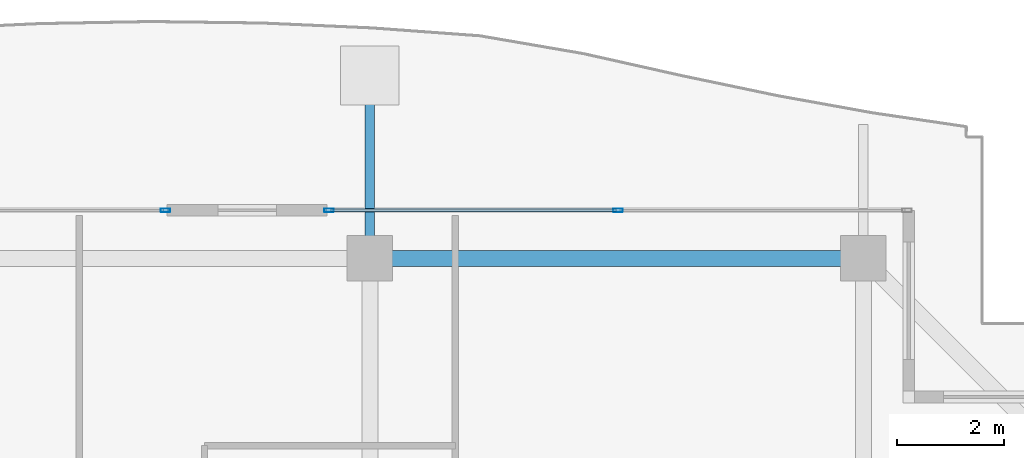
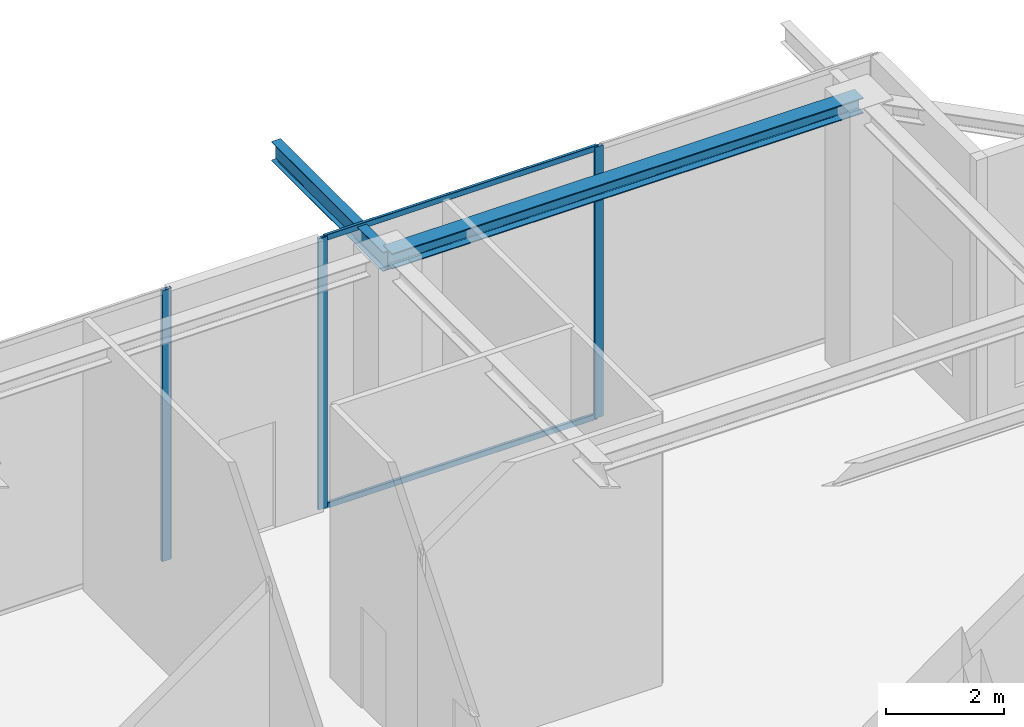
# One storey, part 23 of 40: 5 members, 2 beams, 2 elements without a shape of their own.
"""IFC4 building model written with IfcOpenShell, lengths in metres."""

from ifc_helpers import new_model, si_unit, direction, frame, origin, origin_2d, place, context, subcontext, project, spatial, hollow_rectangle, i_section, extrude, source, transform, mapped, material, layer, layer_set, material_profile, profile_set, type_object, element, aggregate, save


model = new_model("IFC4")

# Units and contexts
model_context = context("Model", 3, precision=1e-05, world=origin(), true_north=direction((0.0, 1.0)))
body_context = subcontext(model_context, "Body", "Model", "MODEL_VIEW")
ifc_project = project(units=[si_unit("LENGTHUNIT", "METRE"), si_unit("AREAUNIT", "SQUARE_METRE"), si_unit("VOLUMEUNIT", "CUBIC_METRE"), si_unit("PLANEANGLEUNIT", "RADIAN"), si_unit("MASSUNIT", "GRAM", prefix="KILO")], contexts=[model_context])

# Site, building, storey
site_placement = place(None, origin())
site = spatial("IfcSite", under=ifc_project, at=site_placement, CompositionType="ELEMENT")
building_placement = place(site_placement, origin())
building = spatial("IfcBuilding", under=site, at=building_placement, Name="Serunith Strait Residences", CompositionType="ELEMENT")
storey_placement = place(building_placement, frame((0.0, 0.0, 347.949951171875)))
storey = spatial("IfcBuildingStorey", under=building, at=storey_placement, Name="L86", CompositionType="ELEMENT", Elevation=347.949951171875)

# Beams
ifc_material_1 = material(Name="Steel S355J2", Category="steel")
ifc_material_profile_1 = material_profile(ifc_material_1, i_section(OverallWidth=0.300048828125, OverallDepth=0.320068359375, WebThickness=0.011474609375, FlangeThickness=0.0205078125, FilletRadius=0.027099609375, at=origin_2d()), Name="HEB 320")
ifc_profile_set_1 = profile_set([ifc_material_profile_1], Name="Steel S355J2")
beam_type_1 = type_object("IfcBeamType", Name="BM-HEB320", PredefinedType="BEAM", material=ifc_profile_set_1)
shared_shape_1 = source(origin(), body_context, "Body", "SweptSolid", [
    extrude(i_section(OverallWidth=0.300048828125, OverallDepth=0.320068359375, WebThickness=0.011474609375, FlangeThickness=0.0205078125, FilletRadius=0.027099609375, at=origin_2d()), origin(), (0.0, 0.0, 1.0), 9.25),
])
beam_1_placement = place(storey_placement, frame((46.14990234375, 45.5, 5.47705078125), z_axis=(-1.0, 0.0, 0.0), x_axis=(0.0, -1.0, 0.0)))
element("IfcBeam", 1, at=beam_1_placement, inside=storey, type_object=beam_type_1, Name="L86 Perimeter Ring Beam 09", PredefinedType="BEAM", context=body_context, shape_type="MappedRepresentation", body=[
    mapped(shared_shape_1, transform((0.0, 0.0, 0.0), scale=1.0)),
])
ifc_material_profile_2 = material_profile(ifc_material_1, i_section(OverallWidth=0.179931640625, OverallDepth=0.39990234375, WebThickness=0.008544921875, FlangeThickness=0.013427734375, FilletRadius=0.02099609375, at=origin_2d()), Name="IPE 400")
ifc_profile_set_2 = profile_set([ifc_material_profile_2], Name="Steel S355J2")
beam_type_2 = type_object("IfcBeamType", Name="BM-IPE400", PredefinedType="JOIST", material=ifc_profile_set_2)
shared_shape_2 = source(origin(), body_context, "Body", "SweptSolid", [
    extrude(i_section(OverallWidth=0.179931640625, OverallDepth=0.39990234375, WebThickness=0.008544921875, FlangeThickness=0.013427734375, FilletRadius=0.02099609375, at=origin_2d()), origin(), (0.0, 0.0, 1.0), 3.800048828125),
])
beam_2_placement = place(storey_placement, frame((36.89990234375, 45.5, 5.406982421875), z_axis=(0.0, 1.0, 0.0), x_axis=(-1.0, 0.0, 0.0)))
element("IfcBeam", 2, at=beam_2_placement, inside=storey, type_object=beam_type_2, Name="L87 Cantilevered Balcony Rib TC-N3", PredefinedType="JOIST", context=body_context, shape_type="MappedRepresentation", body=[
    mapped(shared_shape_2, transform((0.0, 0.0, 0.0), scale=1.0)),
])

# Curtain wall, members
ifc_material_2 = material(Name="Brushed Stainless-Silver Aluminium", Category="aluminium")
ifc_layer = layer(ifc_material_2, 0.199951171875, Name="Brushed Stainless-Silver Aluminium")
ifc_layer_set = layer_set([ifc_layer], Name="Brushed Stainless-Silver Aluminium")
curtain_wall_type = type_object("IfcCurtainWallType", Name="CW-SYS5", PredefinedType="NOTDEFINED", material=ifc_layer_set)
curtain_wall_1_placement = place(storey_placement, origin())
curtain_wall_1 = element("IfcCurtainWall", 3, at=curtain_wall_1_placement, inside=storey, type_object=curtain_wall_type, Name="L86 N Unitised Fritted Curtain Wall", PredefinedType="NOTDEFINED")
ifc_material_profile_3 = material_profile(ifc_material_2, hollow_rectangle(XDim=0.06005859375, YDim=0.1201171875, WallThickness=0.00341796875, InnerFilletRadius=0.00537109375, OuterFilletRadius=0.0087890625, at=origin_2d()), Name="ALU 120x60x3.5")
ifc_profile_set_3 = profile_set([ifc_material_profile_3], Name="Brushed Stainless-Silver Aluminium")
member_type_1 = type_object("IfcMemberType", Name="CW-SYS5-TRAN", PredefinedType="USERDEFINED", material=ifc_profile_set_3)
shared_shape_3 = source(origin(), body_context, "Body", "SweptSolid", [
    extrude(hollow_rectangle(XDim=0.06005859375, YDim=0.1201171875, WallThickness=0.00341796875, InnerFilletRadius=0.00537109375, OuterFilletRadius=0.0087890625, at=origin_2d()), origin(), (0.0, 0.0, 1.0), 5.3525390625),
])
member_1_placement = place(storey_placement, frame((41.517578125, 46.39990234375, 0.030029296875), z_axis=(-1.0, 0.0, 0.0), x_axis=(0.0, -1.0, 0.0)))
member_1 = element("IfcMember", 4, at=member_1_placement, type_object=member_type_1, Name="CW-5 transom 2.1", ObjectType="TRANSOM", PredefinedType="USERDEFINED", context=body_context, shape_type="MappedRepresentation", body=[
    mapped(shared_shape_3, transform((0.0, 0.0, 0.0), scale=1.0)),
])
member_2_placement = place(storey_placement, frame((41.517578125, 46.39990234375, 5.594970703125), z_axis=(-1.0, 0.0, 0.0), x_axis=(0.0, -1.0, 0.0)))
member_2 = element("IfcMember", 5, at=member_2_placement, type_object=member_type_1, Name="CW-5 transom 2.2", ObjectType="TRANSOM", PredefinedType="USERDEFINED", context=body_context, shape_type="MappedRepresentation", body=[
    mapped(shared_shape_3, transform((0.0, 0.0, 0.0), scale=1.0)),
])
ifc_material_profile_4 = material_profile(ifc_material_2, hollow_rectangle(XDim=0.06494140625, YDim=0.179931640625, WallThickness=0.00341796875, InnerFilletRadius=0.00537109375, OuterFilletRadius=0.0087890625, at=origin_2d()), Name="ALU 180x65x3.5")
ifc_profile_set_4 = profile_set([ifc_material_profile_4], Name="Brushed Stainless-Silver Aluminium")
member_type_2 = type_object("IfcMemberType", Name="CW-SYS5-MULL", PredefinedType="MULLION", material=ifc_profile_set_4)
shared_shape_4 = source(origin(), body_context, "Body", "SweptSolid", [
    extrude(hollow_rectangle(XDim=0.06494140625, YDim=0.179931640625, WallThickness=0.00341796875, InnerFilletRadius=0.00537109375, OuterFilletRadius=0.0087890625, at=origin_2d()), origin(), (0.0, 0.0, 1.0), 5.625),
])
member_3_placement = place(storey_placement, frame((41.550048828125, 46.39990234375, 0.0), z_axis=(0.0, 0.0, 1.0), x_axis=(0.0, -1.0, 0.0)))
member_3 = element("IfcMember", 6, at=member_3_placement, type_object=member_type_2, Name="CW-5 mullion 2", PredefinedType="MULLION", context=body_context, shape_type="MappedRepresentation", body=[
    mapped(shared_shape_4, transform((0.0, 0.0, 0.0), scale=1.0)),
])
member_4_placement = place(storey_placement, frame((36.132568359375, 46.39990234375, 0.0), z_axis=(0.0, 0.0, 1.0), x_axis=(0.0, -1.0, 0.0)))
member_4 = element("IfcMember", 7, at=member_4_placement, type_object=member_type_2, Name="CW-5 mullion 3", PredefinedType="MULLION", context=body_context, shape_type="MappedRepresentation", body=[
    mapped(shared_shape_4, transform((0.0, 0.0, 0.0), scale=1.0)),
])
aggregate(curtain_wall_1, [member_3, member_4, member_1, member_2])

# Curtain wall, member
curtain_wall_2_placement = place(storey_placement, origin())
curtain_wall_2 = element("IfcCurtainWall", 8, at=curtain_wall_2_placement, inside=storey, type_object=curtain_wall_type, Name="L86 N Unitised Fritted Curtain Wall", PredefinedType="NOTDEFINED")
member_5_placement = place(storey_placement, frame((33.0673828125, 46.39990234375, 0.0), z_axis=(0.0, 0.0, 1.0), x_axis=(0.0, -1.0, 0.0)))
member_5 = element("IfcMember", 9, at=member_5_placement, type_object=member_type_2, Name="CW-5 mullion 1", PredefinedType="MULLION", context=body_context, shape_type="MappedRepresentation", body=[
    mapped(shared_shape_4, transform((0.0, 0.0, 0.0), scale=1.0)),
])
aggregate(curtain_wall_2, [member_5])

save(model, "model.ifc")
